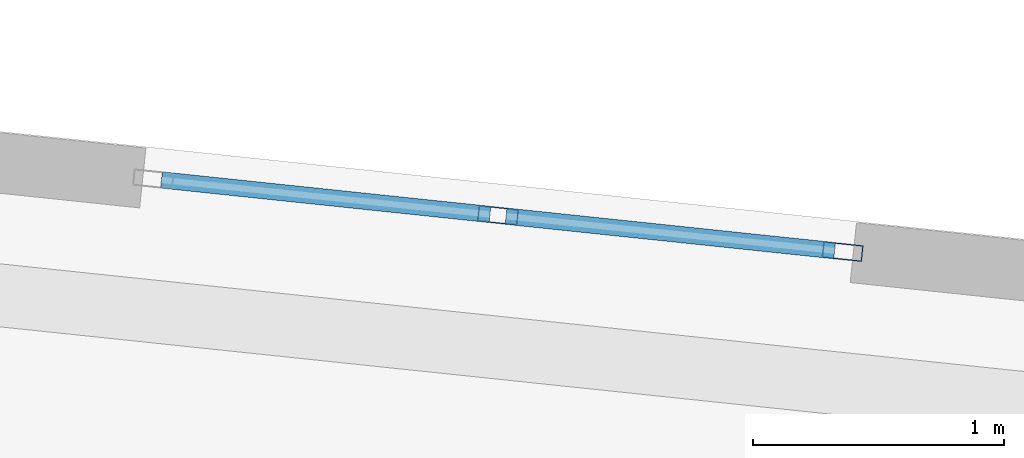
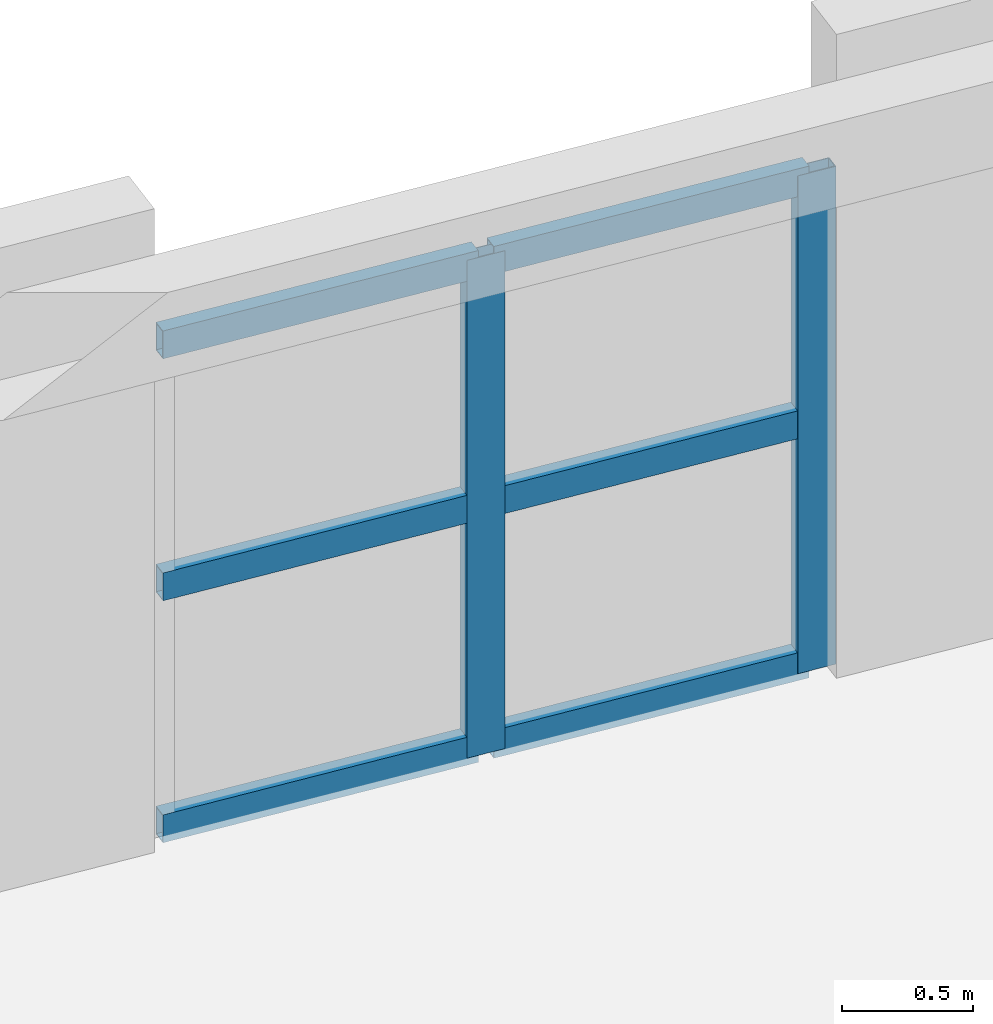
# One storey, part 15 of 66: 8 members, 1 element without a shape of its own.
"""IFC4 building model written with IfcOpenShell, lengths in metres."""

import ifcopenshell
import ifcopenshell.guid

model = None  # the IFC model being written
_history = None  # IfcOwnerHistory: only IFC2X3 demands one
_inside = {}  # id of a spatial element -> (the spatial element, [elements in it])
_under = {}  # id of a project, library or spatial element -> (it, [spatial elements below it])
_declared = {}  # id of a project -> (the project, [libraries it declares])
_typed = {}  # id of a type object -> (the type object, [elements of that type])
_made_of = {}  # id of a material, layer set ... -> (it, [elements and type objects made of it])


def new_model(schema):
    """Start an empty IFC model of exactly this schema.

    Asked for "IFC4X3", IfcOpenShell would pick the latest addendum, in which some entities
    have other attributes; the version numbers below select the first issue.
    IFC2X3 requires an IfcOwnerHistory on every rooted entity: one is made here for all.
    """
    global model, _history
    if schema == "IFC4X3":
        model = ifcopenshell.file(schema_version=(4, 3, 0, 0))
    else:
        model = ifcopenshell.file(schema=schema)
    _inside.clear()
    _under.clear()
    _declared.clear()
    _typed.clear()
    _made_of.clear()
    _history = None
    if model.schema == "IFC2X3":
        org = make("IfcOrganization", Name="unknown")
        user = make(
            "IfcPersonAndOrganization",
            ThePerson=make("IfcPerson", FamilyName="unknown"),
            TheOrganization=org,
        )
        app = make(
            "IfcApplication",
            ApplicationDeveloper=org,
            Version="unknown",
            ApplicationFullName="unknown",
            ApplicationIdentifier="unknown",
        )
        _history = make(
            "IfcOwnerHistory",
            OwningUser=user,
            OwningApplication=app,
            ChangeAction="ADDED",
            CreationDate=0,
        )
    return model


def make(cls, **values):
    """One entity of the class cls with the attributes given. An attribute that is None is left unset."""
    return model.create_entity(
        cls, **{name: value for name, value in values.items() if value is not None}
    )


def rooted(cls, **values):
    """An entity with a GlobalId (a new one), such as an element, a storey or a relation."""
    return make(cls, GlobalId=ifcopenshell.guid.new(), OwnerHistory=_history, **values)


def si_unit(unit_type, name, prefix=None):
    """IfcSIUnit, for example si_unit("LENGTHUNIT", "METRE", prefix="MILLI")."""
    return make("IfcSIUnit", UnitType=unit_type, Prefix=prefix, Name=name)


def assignment(units):
    """IfcUnitAssignment: the units of a project."""
    return None if units is None else make("IfcUnitAssignment", Units=units)


def point(xyz):
    """IfcCartesianPoint."""
    return None if xyz is None else make("IfcCartesianPoint", Coordinates=xyz)


def direction(xyz):
    """IfcDirection."""
    return None if xyz is None else make("IfcDirection", DirectionRatios=xyz)


def frame(location, z_axis=None, x_axis=None):
    """IfcAxis2Placement3D, a coordinate frame: its origin and axes. An axis left out is left unset."""
    return make(
        "IfcAxis2Placement3D",
        Location=point(location),
        Axis=direction(z_axis),
        RefDirection=direction(x_axis),
    )


def frame_2d(location, x_axis=None):
    """IfcAxis2Placement2D, a coordinate frame in the plane: its origin and x axis."""
    return make(
        "IfcAxis2Placement2D", Location=point(location), RefDirection=direction(x_axis)
    )


def origin():
    """The frame at (0, 0, 0) with its axes left unset."""
    return frame((0.0, 0.0, 0.0))


def origin_2d():
    """The frame at (0, 0) in the plane with its x axis left unset."""
    return frame_2d((0.0, 0.0))


def place(relative_to, where):
    """IfcLocalPlacement: puts the frame where relative to a parent placement (None: the world)."""
    return make(
        "IfcLocalPlacement", PlacementRelTo=relative_to, RelativePlacement=where
    )


def context(
    kind, dimensions, precision=None, world=None, true_north=None, identifier=None
):
    """IfcGeometricRepresentationContext, for example the 3D "Model" context."""
    return make(
        "IfcGeometricRepresentationContext",
        ContextIdentifier=identifier,
        ContextType=kind,
        CoordinateSpaceDimension=dimensions,
        Precision=precision,
        WorldCoordinateSystem=world,
        TrueNorth=true_north,
    )


def subcontext(parent, identifier, kind, view, scale=None):
    """IfcGeometricRepresentationSubContext, for example "Body" below "Model"."""
    return make(
        "IfcGeometricRepresentationSubContext",
        ContextIdentifier=identifier,
        ContextType=kind,
        ParentContext=parent,
        TargetScale=scale,
        TargetView=view,
    )


def project(units=None, contexts=None):
    """IfcProject with its units and contexts."""
    return rooted(
        "IfcProject",
        Name="project",
        RepresentationContexts=contexts,
        UnitsInContext=assignment(units),
    )


def spatial(cls, under=None, at=None, **own):
    """A site, building, storey or space (cls), placed at a placement, below another one or the project."""
    s = rooted(cls, ObjectPlacement=at, **own)
    if under is not None:
        _under.setdefault(under.id(), (under, []))[1].append(s)
    return s


def profile(cls, at=None, kind="AREA", **sizes):
    """A parametric profile (cls). Its sizes go by their IFC names, for example OverallWidth=200.0."""
    return make(cls, ProfileType=kind, Position=at, **sizes)


def hollow_rectangle(**sizes):
    """IfcRectangleHollowProfileDef."""
    return profile("IfcRectangleHollowProfileDef", **sizes)


def extrude(swept, where, along, depth):
    """IfcExtrudedAreaSolid: the profile swept, set in the frame where, extruded along a direction by depth."""
    return make(
        "IfcExtrudedAreaSolid",
        SweptArea=swept,
        Position=where,
        ExtrudedDirection=direction(along),
        Depth=depth,
    )


def shape(context_of_items, identifier, shape_type, items):
    """IfcShapeRepresentation: the items that make up one representation, for example the "Body"."""
    return make(
        "IfcShapeRepresentation",
        ContextOfItems=context_of_items,
        RepresentationIdentifier=identifier,
        RepresentationType=shape_type,
        Items=items,
    )


def material(Name=None, Category=None):
    """IfcMaterial."""
    return make("IfcMaterial", Name=Name, Category=Category)


def material_profile(
    of_material, cross_section, Name=None, Category=None, Priority=None
):
    """IfcMaterialProfile: a cross section and its material."""
    return make(
        "IfcMaterialProfile",
        Name=Name,
        Material=of_material,
        Profile=cross_section,
        Priority=Priority,
        Category=Category,
    )


def profile_set(profiles, Name=None, composite=None):
    """IfcMaterialProfileSet."""
    return make(
        "IfcMaterialProfileSet",
        Name=Name,
        MaterialProfiles=profiles,
        CompositeProfile=composite,
    )


def made_of(thing, what):
    """Note that an element or type object is made of a material, layer set ...; save() writes the relation."""
    if what is not None:
        _made_of.setdefault(what.id(), (what, []))[1].append(thing)
    return thing


def type_object(cls, material=None, **own):
    """A type object (cls), such as IfcWallType, which elements share."""
    return made_of(rooted(cls, **own), material)


def element(
    cls,
    number,
    at=None,
    inside=None,
    cuts=None,
    type_object=None,
    material=None,
    context=None,
    identifier="Body",
    shape_type=None,
    held_by="IfcProductDefinitionShape",
    body=None,
    shapes=None,
    **own,
):
    """One element of the class cls, such as IfcWall. Its Tag is "e" and its number.

    at: its placement. inside: the storey or other place that contains it. cuts: it is an
    opening in that element (IfcRelVoidsElement). A single representation is given by context,
    identifier, shape_type and body (its items); several are given by shapes. held_by: the class
    of the entity that holds the representations. save() writes the other relations.
    """
    e = rooted(cls, Tag="e%d" % number, ObjectPlacement=at, **own)
    if body is not None:
        shapes = [shape(context, identifier, shape_type, body)]
    if shapes is not None:
        e.Representation = make(held_by, Representations=shapes)
    if inside is not None:
        _inside.setdefault(inside.id(), (inside, []))[1].append(e)
    if cuts is not None:
        rooted(
            "IfcRelVoidsElement", RelatingBuildingElement=cuts, RelatedOpeningElement=e
        )
    if type_object is not None:
        _typed.setdefault(type_object.id(), (type_object, []))[1].append(e)
    return made_of(e, material)


def aggregate(whole, parts):
    """IfcRelAggregates: a whole, such as a stair, and the parts it consists of."""
    return rooted("IfcRelAggregates", RelatingObject=whole, RelatedObjects=parts)


def save(model, path):
    """Write the relations noted so far, then the file.

    IfcRelAggregates (storeys below a building ...), IfcRelContainedInSpatialStructure (elements
    in a storey), IfcRelDefinesByType, IfcRelAssociatesMaterial and IfcRelDeclares: one each for
    every whole, place, type object, material and project.
    """
    for whole, parts in _under.values():
        aggregate(whole, parts)
    for where, things in _inside.values():
        rooted(
            "IfcRelContainedInSpatialStructure",
            RelatedElements=things,
            RelatingStructure=where,
        )
    for kind, things in _typed.values():
        rooted("IfcRelDefinesByType", RelatedObjects=things, RelatingType=kind)
    for what, things in _made_of.values():
        rooted("IfcRelAssociatesMaterial", RelatedObjects=things, RelatingMaterial=what)
    for by, libraries in _declared.values():
        rooted("IfcRelDeclares", RelatingContext=by, RelatedDefinitions=libraries)
    model.write(path)


model = new_model("IFC4")

# Units and contexts
model_context = context("Model", 3, precision=1e-05, world=origin(), true_north=direction((0.0, 1.0)))
body_context = subcontext(model_context, "Body", "Model", "MODEL_VIEW")
ifc_project = project(units=[si_unit("LENGTHUNIT", "METRE"), si_unit("AREAUNIT", "SQUARE_METRE"), si_unit("VOLUMEUNIT", "CUBIC_METRE"), si_unit("PLANEANGLEUNIT", "RADIAN"), si_unit("MASSUNIT", "GRAM", prefix="KILO")], contexts=[model_context])

# Site, building, storey
site_placement = place(None, origin())
site = spatial("IfcSite", under=ifc_project, at=site_placement, CompositionType="ELEMENT")
building_placement = place(site_placement, origin())
building = spatial("IfcBuilding", under=site, at=building_placement, Name="Kestramere Prow Commons", CompositionType="ELEMENT")
storey_placement = place(building_placement, frame((0.0, 0.0, 14.89990234375)))
storey = spatial("IfcBuildingStorey", under=building, at=storey_placement, Name="L04", CompositionType="ELEMENT", Elevation=14.89990234375)

# Curtain wall, members
ifc_material_1 = material(Name="Anodised Aluminium and Low-E Glass", Category="aluminium")
curtain_wall_type = type_object("IfcCurtainWallType", Name="CW-03 Glazed Curtain Wall 2830x2320", PredefinedType="USERDEFINED", material=ifc_material_1)
curtain_wall_placement = place(storey_placement, origin())
curtain_wall = element("IfcCurtainWall", 1, at=curtain_wall_placement, inside=storey, type_object=curtain_wall_type, Name="Block B L04 Stairwell Vertical Glazing 5", ObjectType="GLAZED CURTAIN WALL", PredefinedType="USERDEFINED")
ifc_material_2 = material(Name="Anodised Aluminium 6063-T6", Category="aluminium")
ifc_material_profile_1 = material_profile(ifc_material_2, hollow_rectangle(XDim=0.06494140625, YDim=0.159912109375, WallThickness=0.00390625, at=origin_2d()), Name="ALU-MUL 65x160")
ifc_profile_set_1 = profile_set([ifc_material_profile_1], Name="Anodised Aluminium 6063-T6")
member_type_1 = type_object("IfcMemberType", Name="CW-MUL-65x160", PredefinedType="MULLION", material=ifc_profile_set_1)
member_1_placement = place(storey_placement, frame((147.906494140625, 111.0517578125, 0.0), z_axis=(0.0, 0.0, 1.0), x_axis=(0.104528269348, 0.99452191575, 0.0)))
member_1 = element("IfcMember", 2, at=member_1_placement, type_object=member_type_1, Name="CW-03 mullion 2", PredefinedType="MULLION", context=body_context, shape_type="SweptSolid", body=[
    extrude(hollow_rectangle(XDim=0.06494140625, YDim=0.159912109375, WallThickness=0.00390625, at=origin_2d()), origin(), (0.0, 0.0, 1.0), 2.320068359375),
])
member_2_placement = place(storey_placement, frame((149.28125, 110.9072265625, 0.0), z_axis=(0.0, 0.0, 1.0), x_axis=(0.104528269348, 0.99452191575, 0.0)))
member_2 = element("IfcMember", 3, at=member_2_placement, type_object=member_type_1, Name="CW-03 mullion 3", PredefinedType="MULLION", context=body_context, shape_type="SweptSolid", body=[
    extrude(hollow_rectangle(XDim=0.06494140625, YDim=0.159912109375, WallThickness=0.00390625, at=origin_2d()), origin(), (0.0, 0.0, 1.0), 2.320068359375),
])
ifc_material_profile_2 = material_profile(ifc_material_2, hollow_rectangle(XDim=0.06494140625, YDim=0.1298828125, WallThickness=0.00390625, at=origin_2d()), Name="ALU-TRN 65x130")
ifc_profile_set_2 = profile_set([ifc_material_profile_2], Name="Anodised Aluminium 6063-T6")
member_type_2 = type_object("IfcMemberType", Name="CW-TRN-65x130", PredefinedType="USERDEFINED", material=ifc_profile_set_2)
member_3_placement = place(storey_placement, frame((146.563720703125, 111.19287109375, 0.03271484375), z_axis=(0.994523714271, -0.104511156111, 0.0), x_axis=(0.104511156111, 0.994523714271, 0.0)))
member_3 = element("IfcMember", 4, at=member_3_placement, type_object=member_type_2, Name="CW-03 transom 1.1", ObjectType="TRANSOM", PredefinedType="USERDEFINED", context=body_context, shape_type="SweptSolid", body=[
    extrude(hollow_rectangle(XDim=0.06494140625, YDim=0.1298828125, WallThickness=0.00390625, at=origin_2d()), origin(), (0.0, 0.0, 1.0), 1.317626953125),
])
member_4_placement = place(storey_placement, frame((146.563720703125, 111.19287109375, 1.16015625), z_axis=(0.994523714271, -0.104511156111, 0.0), x_axis=(0.104511156111, 0.994523714271, 0.0)))
member_4 = element("IfcMember", 5, at=member_4_placement, type_object=member_type_2, Name="CW-03 transom 1.2", ObjectType="TRANSOM", PredefinedType="USERDEFINED", context=body_context, shape_type="SweptSolid", body=[
    extrude(hollow_rectangle(XDim=0.06494140625, YDim=0.1298828125, WallThickness=0.00390625, at=origin_2d()), origin(), (0.0, 0.0, 1.0), 1.317626953125),
])
member_5_placement = place(storey_placement, frame((146.563720703125, 111.19287109375, 2.28759765625), z_axis=(0.994523714271, -0.104511156111, 0.0), x_axis=(0.104511156111, 0.994523714271, 0.0)))
member_5 = element("IfcMember", 6, at=member_5_placement, type_object=member_type_2, Name="CW-03 transom 1.3", ObjectType="TRANSOM", PredefinedType="USERDEFINED", context=body_context, shape_type="SweptSolid", body=[
    extrude(hollow_rectangle(XDim=0.06494140625, YDim=0.1298828125, WallThickness=0.00390625, at=origin_2d()), origin(), (0.0, 0.0, 1.0), 1.317626953125),
])
member_6_placement = place(storey_placement, frame((147.938720703125, 111.04833984375, 0.03271484375), z_axis=(0.994523714271, -0.104511156111, 0.0), x_axis=(0.104511156111, 0.994523714271, 0.0)))
member_6 = element("IfcMember", 7, at=member_6_placement, type_object=member_type_2, Name="CW-03 transom 2.1", ObjectType="TRANSOM", PredefinedType="USERDEFINED", context=body_context, shape_type="SweptSolid", body=[
    extrude(hollow_rectangle(XDim=0.06494140625, YDim=0.1298828125, WallThickness=0.00390625, at=origin_2d()), origin(), (0.0, 0.0, 1.0), 1.317626953125),
])
member_7_placement = place(storey_placement, frame((147.938720703125, 111.04833984375, 1.16015625), z_axis=(0.994523714271, -0.104511156111, 0.0), x_axis=(0.104511156111, 0.994523714271, 0.0)))
member_7 = element("IfcMember", 8, at=member_7_placement, type_object=member_type_2, Name="CW-03 transom 2.2", ObjectType="TRANSOM", PredefinedType="USERDEFINED", context=body_context, shape_type="SweptSolid", body=[
    extrude(hollow_rectangle(XDim=0.06494140625, YDim=0.1298828125, WallThickness=0.00390625, at=origin_2d()), origin(), (0.0, 0.0, 1.0), 1.317626953125),
])
member_8_placement = place(storey_placement, frame((147.938720703125, 111.04833984375, 2.28759765625), z_axis=(0.994523714271, -0.104511156111, 0.0), x_axis=(0.104511156111, 0.994523714271, 0.0)))
member_8 = element("IfcMember", 9, at=member_8_placement, type_object=member_type_2, Name="CW-03 transom 2.3", ObjectType="TRANSOM", PredefinedType="USERDEFINED", context=body_context, shape_type="SweptSolid", body=[
    extrude(hollow_rectangle(XDim=0.06494140625, YDim=0.1298828125, WallThickness=0.00390625, at=origin_2d()), origin(), (0.0, 0.0, 1.0), 1.317626953125),
])
aggregate(curtain_wall, [member_1, member_2, member_3, member_4, member_5, member_6, member_7, member_8])

save(model, "model.ifc")
